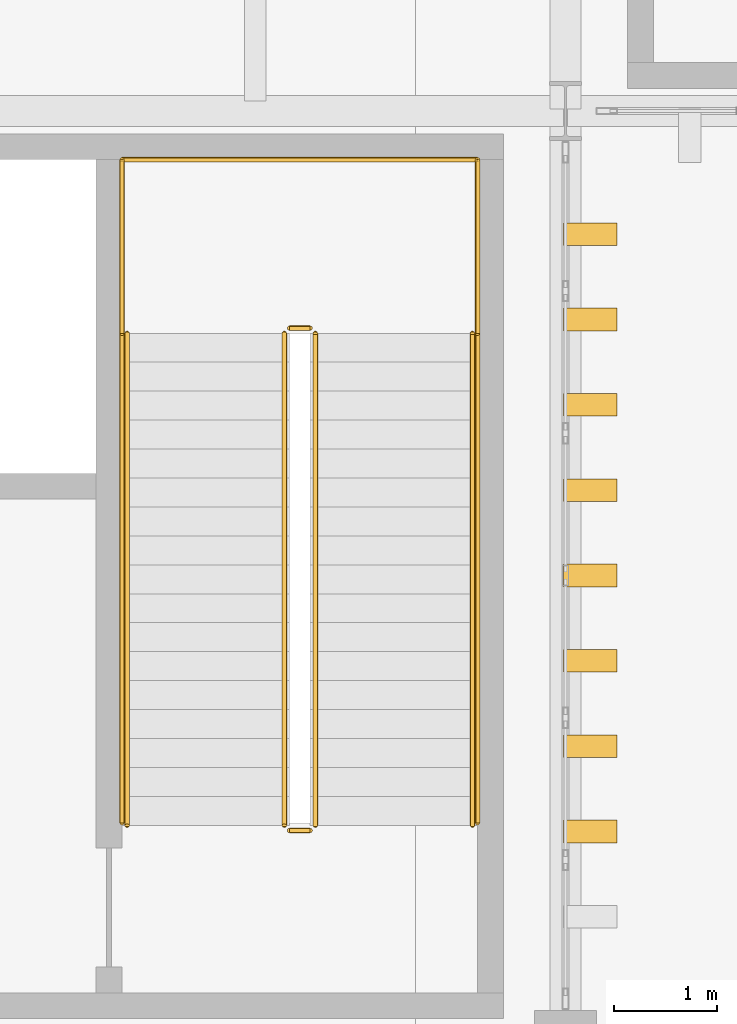
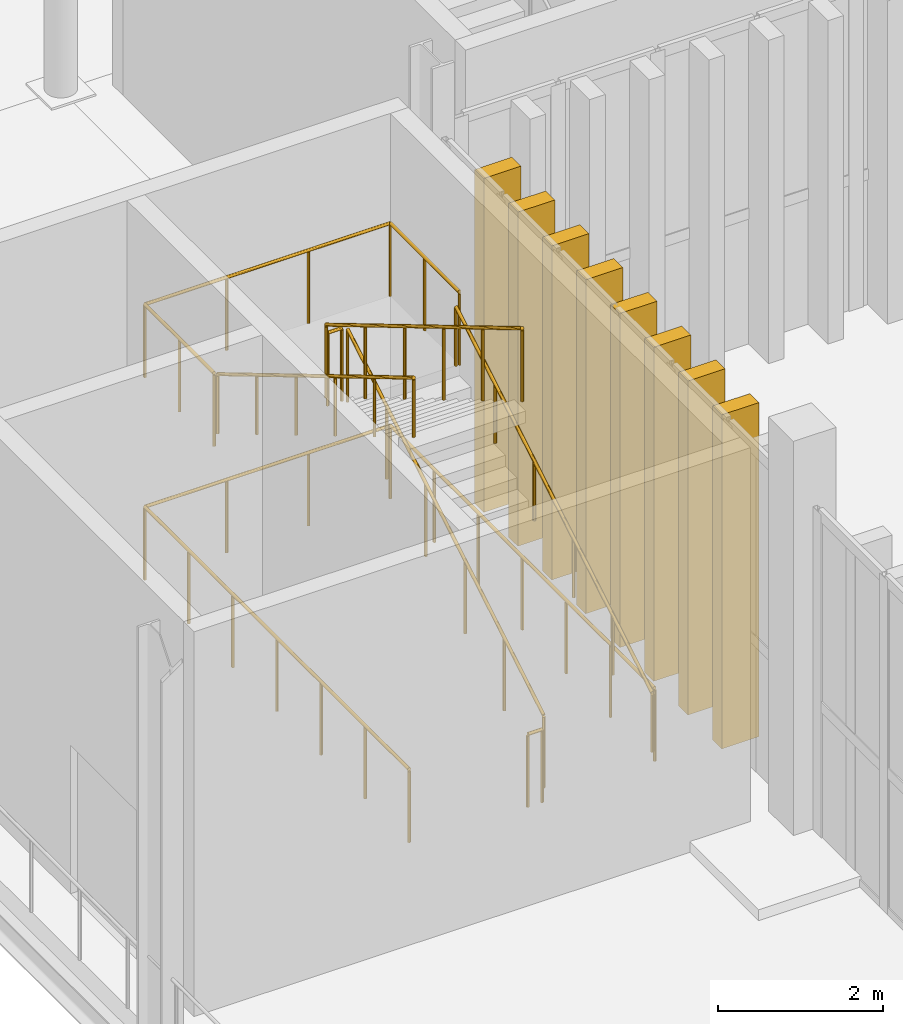
# One storey, part 189 of 211: 12 railings, 8 shading devices.
"""IFC4 building model written with IfcOpenShell, lengths in metres."""

from ifc_helpers import new_model, si_unit, direction, frame, origin, origin_2d, place, context, subcontext, project, spatial, rectangle, circle, extrude, material, type_object, element, save


model = new_model("IFC4")

# Units and contexts
model_context = context("Model", 3, precision=1e-05, world=origin(), true_north=direction((0.0, 1.0)))
body_context = subcontext(model_context, "Body", "Model", "MODEL_VIEW")
ifc_project = project(units=[si_unit("LENGTHUNIT", "METRE"), si_unit("AREAUNIT", "SQUARE_METRE"), si_unit("VOLUMEUNIT", "CUBIC_METRE"), si_unit("PLANEANGLEUNIT", "RADIAN"), si_unit("MASSUNIT", "GRAM", prefix="KILO")], contexts=[model_context])

# Site, building, storey
site_placement = place(None, origin())
site = spatial("IfcSite", under=ifc_project, at=site_placement, CompositionType="ELEMENT")
building_placement = place(site_placement, origin())
building = spatial("IfcBuilding", under=site, at=building_placement, Name="Barlavento Convention Centre", CompositionType="ELEMENT")
storey_placement = place(building_placement, frame((0.0, 0.0, 6.0)))
storey = spatial("IfcBuildingStorey", under=building, at=storey_placement, Name="L01", CompositionType="ELEMENT", Elevation=6.0)

# Railings
ifc_material_1 = material(Name="Stainless steel and laminated glass balustrade", Category="steel")
railing_type_1 = type_object("IfcRailingType", Name="ARC-RAL-BAL-1100", PredefinedType="BALUSTRADE", material=ifc_material_1)
railing_1_placement = place(storey_placement, frame((60.580078125, 38.090087890625, 0.166748046875)))
element("IfcRailing", 1, at=railing_1_placement, inside=storey, type_object=railing_type_1, Name="L01 ST02 stair guard 1", PredefinedType="BALUSTRADE", context=body_context, shape_type="SweptSolid", body=[
    extrude(circle(Radius=0.02392578125, at=origin_2d()), frame((0.0, 0.0, 1.076171875), z_axis=(0.0, 0.859299802514, 0.511472237174), x_axis=(-1.0, 0.0, 0.0)), (0.0, 0.0, 1.0), 5.539306640625),
    extrude(circle(Radius=0.02099609375, at=origin_2d()), origin(), (0.0, 0.0, 1.0), 1.052001953125),
    extrude(circle(Radius=0.02099609375, at=origin_2d()), frame((0.0, 0.951904296875, 0.566650390625)), (0.0, 0.0, 1.0), 1.052001953125),
    extrude(circle(Radius=0.02099609375, at=origin_2d()), frame((0.0, 1.904052734375, 1.13330078125)), (0.0, 0.0, 1.0), 1.052001953125),
    extrude(circle(Radius=0.02099609375, at=origin_2d()), frame((0.0, 2.85595703125, 1.699951171875)), (0.0, 0.0, 1.0), 1.052001953125),
    extrude(circle(Radius=0.02099609375, at=origin_2d()), frame((0.0, 3.80810546875, 2.2666015625)), (0.0, 0.0, 1.0), 1.052001953125),
    extrude(circle(Radius=0.02099609375, at=origin_2d()), frame((0.0, 4.760009765625, 2.833251953125)), (0.0, 0.0, 1.0), 1.052001953125),
])
railing_2_placement = place(storey_placement, frame((60.530029296875, 42.89990234375, 3.0)))
element("IfcRailing", 2, at=railing_2_placement, inside=storey, type_object=railing_type_1, Name="L01 ST02 stair guard 2", PredefinedType="BALUSTRADE", context=body_context, shape_type="SweptSolid", body=[
    extrude(circle(Radius=0.02392578125, at=origin_2d()), frame((0.0, 0.0, 1.076171875), z_axis=(-1.0, 0.0, 0.0), x_axis=(0.0, -1.0, 0.0)), (0.0, 0.0, 1.0), 0.199951171875),
    extrude(circle(Radius=0.02099609375, at=origin_2d()), origin(), (0.0, 0.0, 1.0), 1.052001953125),
    extrude(circle(Radius=0.02099609375, at=origin_2d()), frame((-0.199951171875, 0.0, 0.0)), (0.0, 0.0, 1.0), 1.052001953125),
])
railing_3_placement = place(storey_placement, frame((60.280029296875, 42.85009765625, 3.166748046875)))
element("IfcRailing", 3, at=railing_3_placement, inside=storey, type_object=railing_type_1, Name="L01 ST02 stair guard 3", PredefinedType="BALUSTRADE", context=body_context, shape_type="SweptSolid", body=[
    extrude(circle(Radius=0.02392578125, at=origin_2d()), frame((0.0, 0.0, 1.076171875), z_axis=(0.0, -0.859299802514, 0.511472237174), x_axis=(1.0, 0.0, 0.0)), (0.0, 0.0, 1.0), 5.539306640625),
    extrude(circle(Radius=0.02099609375, at=origin_2d()), origin(), (0.0, 0.0, 1.0), 1.052001953125),
    extrude(circle(Radius=0.02099609375, at=origin_2d()), frame((0.0, -0.951904296875, 0.566650390625)), (0.0, 0.0, 1.0), 1.052001953125),
    extrude(circle(Radius=0.02099609375, at=origin_2d()), frame((0.0, -1.904052734375, 1.13330078125)), (0.0, 0.0, 1.0), 1.052001953125),
    extrude(circle(Radius=0.02099609375, at=origin_2d()), frame((0.0, -2.85595703125, 1.699951171875)), (0.0, 0.0, 1.0), 1.052001953125),
    extrude(circle(Radius=0.02099609375, at=origin_2d()), frame((0.0, -3.80810546875, 2.2666015625)), (0.0, 0.0, 1.0), 1.052001953125),
    extrude(circle(Radius=0.02099609375, at=origin_2d()), frame((0.0, -4.760009765625, 2.833251953125)), (0.0, 0.0, 1.0), 1.052001953125),
])
railing_4_placement = place(storey_placement, frame((60.530029296875, 38.0400390625, 0.0)))
element("IfcRailing", 4, at=railing_4_placement, inside=storey, type_object=railing_type_1, Name="L01 ST02 stair guard 4", PredefinedType="BALUSTRADE", context=body_context, shape_type="SweptSolid", body=[
    extrude(circle(Radius=0.02392578125, at=origin_2d()), frame((0.0, 0.0, 1.076171875), z_axis=(-1.0, 0.0, 0.0), x_axis=(0.0, -1.0, 0.0)), (0.0, 0.0, 1.0), 0.199951171875),
    extrude(circle(Radius=0.02099609375, at=origin_2d()), origin(), (0.0, 0.0, 1.0), 1.052001953125),
    extrude(circle(Radius=0.02099609375, at=origin_2d()), frame((-0.199951171875, 0.0, 0.0)), (0.0, 0.0, 1.0), 1.052001953125),
])
for number, where, name in (
    (5, (62.14990234375, 42.85009765625, 3.0), "L01 landing guard GR01"),
    (6, (58.7099609375, 42.85009765625, 3.0), "L01 landing guard GR01"),
):
    element("IfcRailing", number, at=place(storey_placement, frame(where)), inside=storey, type_object=railing_type_1, Name=name, PredefinedType="BALUSTRADE", context=body_context, shape_type="SweptSolid", body=[
        extrude(circle(Radius=0.02392578125, at=origin_2d()), frame((0.0, 0.0, 1.076171875), z_axis=(0.0, 1.0, 0.0), x_axis=(-1.0, 0.0, 0.0)), (0.0, 0.0, 1.0), 1.679931640625),
        extrude(circle(Radius=0.02099609375, at=origin_2d()), origin(), (0.0, 0.0, 1.0), 1.052001953125),
        extrude(circle(Radius=0.02099609375, at=origin_2d()), frame((0.0, 0.83984375, 0.0)), (0.0, 0.0, 1.0), 1.052001953125),
        extrude(circle(Radius=0.02099609375, at=origin_2d()), frame((0.0, 1.679931640625, 0.0)), (0.0, 0.0, 1.0), 1.052001953125),
    ])
railing_5_placement = place(storey_placement, frame((62.14990234375, 44.530029296875, 3.0)))
element("IfcRailing", 7, at=railing_5_placement, inside=storey, type_object=railing_type_1, Name="L01 landing guard GR01", PredefinedType="BALUSTRADE", context=body_context, shape_type="SweptSolid", body=[
    extrude(circle(Radius=0.02392578125, at=origin_2d()), frame((0.0, 0.0, 1.076171875), z_axis=(-1.0, 0.0, 0.0), x_axis=(0.0, -1.0, 0.0)), (0.0, 0.0, 1.0), 3.43994140625),
    extrude(circle(Radius=0.02099609375, at=origin_2d()), origin(), (0.0, 0.0, 1.0), 1.052001953125),
    extrude(circle(Radius=0.02099609375, at=origin_2d()), frame((-1.146728515625, 0.0, 0.0)), (0.0, 0.0, 1.0), 1.052001953125),
    extrude(circle(Radius=0.02099609375, at=origin_2d()), frame((-2.293212890625, 0.0, 0.0)), (0.0, 0.0, 1.0), 1.052001953125),
    extrude(circle(Radius=0.02099609375, at=origin_2d()), frame((-3.43994140625, 0.0, 0.0)), (0.0, 0.0, 1.0), 1.052001953125),
])
railing_6_placement = place(storey_placement, frame((62.14990234375, 38.114990234375, 0.0)))
element("IfcRailing", 8, at=railing_6_placement, inside=storey, type_object=railing_type_1, Name="L01 stairwell perimeter guard GR01", PredefinedType="BALUSTRADE", context=body_context, shape_type="SweptSolid", body=[
    extrude(circle(Radius=0.02392578125, at=origin_2d()), frame((0.0, 0.0, 1.076171875), z_axis=(0.0, 1.0, 0.0), x_axis=(-1.0, 0.0, 0.0)), (0.0, 0.0, 1.0), 6.4150390625),
    extrude(circle(Radius=0.02099609375, at=origin_2d()), origin(), (0.0, 0.0, 1.0), 1.052001953125),
    extrude(circle(Radius=0.02099609375, at=origin_2d()), frame((0.0, 1.069091796875, 0.0)), (0.0, 0.0, 1.0), 1.052001953125),
    extrude(circle(Radius=0.02099609375, at=origin_2d()), frame((0.0, 2.138427734375, 0.0)), (0.0, 0.0, 1.0), 1.052001953125),
    extrude(circle(Radius=0.02099609375, at=origin_2d()), frame((0.0, 3.20751953125, 0.0)), (0.0, 0.0, 1.0), 1.052001953125),
    extrude(circle(Radius=0.02099609375, at=origin_2d()), frame((0.0, 4.276611328125, 0.0)), (0.0, 0.0, 1.0), 1.052001953125),
    extrude(circle(Radius=0.02099609375, at=origin_2d()), frame((0.0, 5.345947265625, 0.0)), (0.0, 0.0, 1.0), 1.052001953125),
    extrude(circle(Radius=0.02099609375, at=origin_2d()), frame((0.0, 6.4150390625, 0.0)), (0.0, 0.0, 1.0), 1.052001953125),
])
railing_7_placement = place(storey_placement, frame((62.14990234375, 44.530029296875, 0.0)))
element("IfcRailing", 9, at=railing_7_placement, inside=storey, type_object=railing_type_1, Name="L01 stairwell perimeter guard GR01", PredefinedType="BALUSTRADE", context=body_context, shape_type="SweptSolid", body=[
    extrude(circle(Radius=0.02392578125, at=origin_2d()), frame((0.0, 0.0, 1.076171875), z_axis=(-1.0, 0.0, 0.0), x_axis=(0.0, -1.0, 0.0)), (0.0, 0.0, 1.0), 3.43994140625),
    extrude(circle(Radius=0.02099609375, at=origin_2d()), origin(), (0.0, 0.0, 1.0), 1.052001953125),
    extrude(circle(Radius=0.02099609375, at=origin_2d()), frame((-1.146728515625, 0.0, 0.0)), (0.0, 0.0, 1.0), 1.052001953125),
    extrude(circle(Radius=0.02099609375, at=origin_2d()), frame((-2.293212890625, 0.0, 0.0)), (0.0, 0.0, 1.0), 1.052001953125),
    extrude(circle(Radius=0.02099609375, at=origin_2d()), frame((-3.43994140625, 0.0, 0.0)), (0.0, 0.0, 1.0), 1.052001953125),
])
railing_8_placement = place(storey_placement, frame((58.7099609375, 44.530029296875, 0.0)))
element("IfcRailing", 10, at=railing_8_placement, inside=storey, type_object=railing_type_1, Name="L01 stairwell perimeter guard GR01", PredefinedType="BALUSTRADE", context=body_context, shape_type="SweptSolid", body=[
    extrude(circle(Radius=0.02392578125, at=origin_2d()), frame((0.0, 0.0, 1.076171875), z_axis=(0.0, -1.0, 0.0), x_axis=(1.0, 0.0, 0.0)), (0.0, 0.0, 1.0), 6.4150390625),
    extrude(circle(Radius=0.02099609375, at=origin_2d()), origin(), (0.0, 0.0, 1.0), 1.052001953125),
    extrude(circle(Radius=0.02099609375, at=origin_2d()), frame((0.0, -1.069091796875, 0.0)), (0.0, 0.0, 1.0), 1.052001953125),
    extrude(circle(Radius=0.02099609375, at=origin_2d()), frame((0.0, -2.138427734375, 0.0)), (0.0, 0.0, 1.0), 1.052001953125),
    extrude(circle(Radius=0.02099609375, at=origin_2d()), frame((0.0, -3.20751953125, 0.0)), (0.0, 0.0, 1.0), 1.052001953125),
    extrude(circle(Radius=0.02099609375, at=origin_2d()), frame((0.0, -4.276611328125, 0.0)), (0.0, 0.0, 1.0), 1.052001953125),
    extrude(circle(Radius=0.02099609375, at=origin_2d()), frame((0.0, -5.345947265625, 0.0)), (0.0, 0.0, 1.0), 1.052001953125),
    extrude(circle(Radius=0.02099609375, at=origin_2d()), frame((0.0, -6.4150390625, 0.0)), (0.0, 0.0, 1.0), 1.052001953125),
])
ifc_material_2 = material(Name="Brushed stainless steel tubular handrail", Category="steel")
railing_type_2 = type_object("IfcRailingType", Name="ARC-RAL-HR-900", PredefinedType="HANDRAIL", material=ifc_material_2)
railing_9_placement = place(storey_placement, frame((62.10009765625, 38.090087890625, 0.166748046875)))
element("IfcRailing", 11, at=railing_9_placement, inside=storey, type_object=railing_type_2, Name="L01 ST02 stair handrail 1", PredefinedType="HANDRAIL", context=body_context, shape_type="SweptSolid", body=[
    extrude(circle(Radius=0.02392578125, at=origin_2d()), frame((0.0, 0.0, 0.8759765625), z_axis=(0.0, 0.859299802514, 0.511472237174), x_axis=(-1.0, 0.0, 0.0)), (0.0, 0.0, 1.0), 5.539306640625),
    extrude(circle(Radius=0.02099609375, at=origin_2d()), origin(), (0.0, 0.0, 1.0), 0.851806640625),
    extrude(circle(Radius=0.02099609375, at=origin_2d()), frame((0.0, 0.951904296875, 0.566650390625)), (0.0, 0.0, 1.0), 0.851806640625),
    extrude(circle(Radius=0.02099609375, at=origin_2d()), frame((0.0, 1.904052734375, 1.13330078125)), (0.0, 0.0, 1.0), 0.851806640625),
    extrude(circle(Radius=0.02099609375, at=origin_2d()), frame((0.0, 2.85595703125, 1.699951171875)), (0.0, 0.0, 1.0), 0.851806640625),
    extrude(circle(Radius=0.02099609375, at=origin_2d()), frame((0.0, 3.80810546875, 2.2666015625)), (0.0, 0.0, 1.0), 0.851806640625),
    extrude(circle(Radius=0.02099609375, at=origin_2d()), frame((0.0, 4.760009765625, 2.833251953125)), (0.0, 0.0, 1.0), 0.851806640625),
])
railing_10_placement = place(storey_placement, frame((58.760009765625, 42.85009765625, 3.166748046875)))
element("IfcRailing", 12, at=railing_10_placement, inside=storey, type_object=railing_type_2, Name="L01 ST02 stair handrail 2", PredefinedType="HANDRAIL", context=body_context, shape_type="SweptSolid", body=[
    extrude(circle(Radius=0.02392578125, at=origin_2d()), frame((0.0, 0.0, 0.8759765625), z_axis=(0.0, -0.859299802514, 0.511472237174), x_axis=(1.0, 0.0, 0.0)), (0.0, 0.0, 1.0), 5.539306640625),
    extrude(circle(Radius=0.02099609375, at=origin_2d()), origin(), (0.0, 0.0, 1.0), 0.851806640625),
    extrude(circle(Radius=0.02099609375, at=origin_2d()), frame((0.0, -0.951904296875, 0.566650390625)), (0.0, 0.0, 1.0), 0.851806640625),
    extrude(circle(Radius=0.02099609375, at=origin_2d()), frame((0.0, -1.904052734375, 1.13330078125)), (0.0, 0.0, 1.0), 0.851806640625),
    extrude(circle(Radius=0.02099609375, at=origin_2d()), frame((0.0, -2.85595703125, 1.699951171875)), (0.0, 0.0, 1.0), 0.851806640625),
    extrude(circle(Radius=0.02099609375, at=origin_2d()), frame((0.0, -3.80810546875, 2.2666015625)), (0.0, 0.0, 1.0), 0.851806640625),
    extrude(circle(Radius=0.02099609375, at=origin_2d()), frame((0.0, -4.760009765625, 2.833251953125)), (0.0, 0.0, 1.0), 0.851806640625),
])

# Shading devices
ifc_material_3 = material(Name="PVDF white extruded aluminium", Category="aluminium")
shading_device_type = type_object("IfcShadingDeviceType", Name="ARC-SHD-FIN-480", PredefinedType="USERDEFINED", material=ifc_material_3)
for number, where, z_axis, x_axis, name in (
    (13, (63.239990234375, 38.03076171875, 0.0), (0.0, 0.0, 1.0), (0.0, 1.0, 0.0), "White vertical solar shading fin VF01"),
    (14, (63.239990234375, 38.856201171875, 0.0), (0.0, 0.0, 1.0), (0.0, 1.0, 0.0), "White vertical solar shading fin VF01"),
    (15, (63.239990234375, 39.681640625, 0.0), (0.0, 0.0, 1.0), (0.0, 1.0, 0.0), "White vertical solar shading fin VF01"),
    (16, (63.239990234375, 40.507080078125, 0.0), (0.0, 0.0, 1.0), (0.0, 1.0, 0.0), "White vertical solar shading fin VF01"),
    (17, (63.239990234375, 41.33251953125, 0.0), (0.0, 0.0, 1.0), (0.0, 1.0, 0.0), "White vertical solar shading fin VF01"),
    (18, (63.239990234375, 42.15771484375, 0.0), (0.0, 0.0, 1.0), (0.0, 1.0, 0.0), "White vertical solar shading fin VF01"),
    (19, (63.239990234375, 42.983154296875, 0.0), (0.0, 0.0, 1.0), (0.0, 1.0, 0.0), "White vertical solar shading fin VF01"),
    (20, (63.239990234375, 43.80859375, 0.0), (0.0, 0.0, 1.0), (0.0, 1.0, 0.0), "White vertical solar shading fin VF01"),
):
    element("IfcShadingDevice", number, at=place(storey_placement, frame(where, z_axis=z_axis, x_axis=x_axis)), inside=storey, type_object=shading_device_type, Name=name, ObjectType="FIN", PredefinedType="USERDEFINED", context=body_context, shape_type="SweptSolid", body=[
        extrude(rectangle(XDim=0.219970703125, YDim=0.52001953125, at=origin_2d()), origin(), (0.0, 0.0, 1.0), 4.949951171875),
    ])

save(model, "model.ifc")
